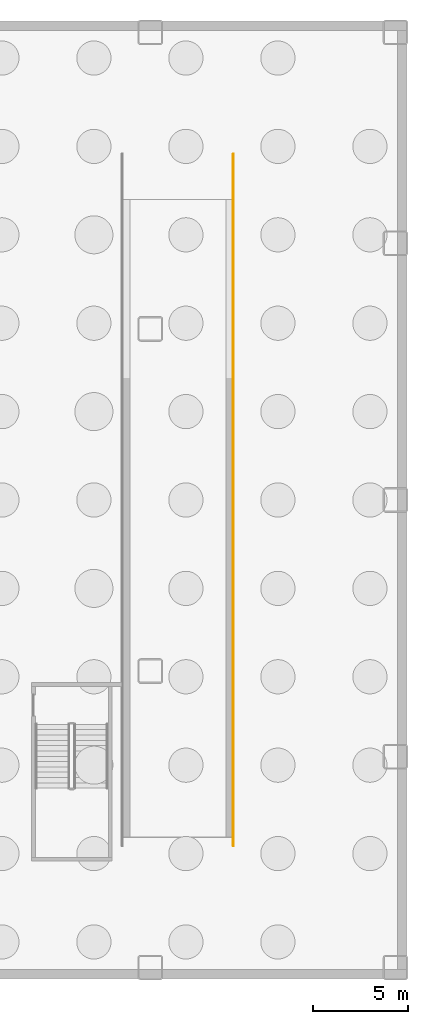
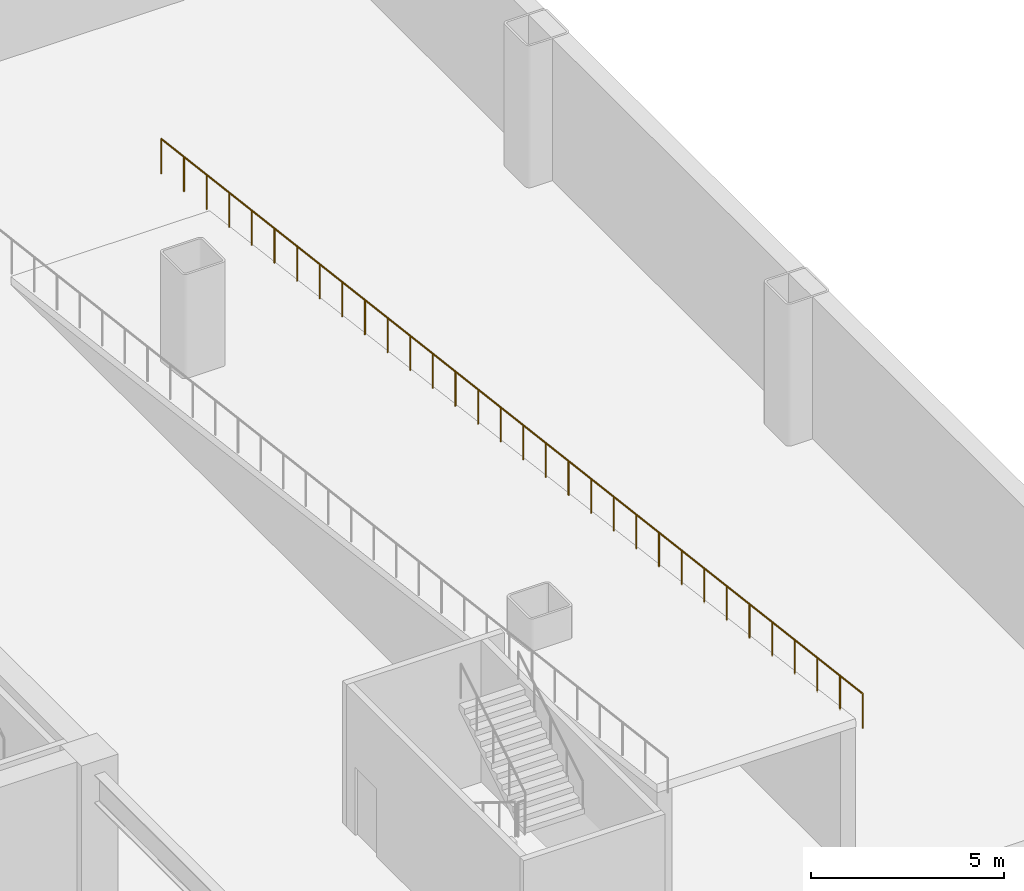
# One storey, part 10 of 11: 1 railing.
"""IFC4 building model written with IfcOpenShell, lengths in metres."""

from ifc_helpers import new_model, si_unit, direction, frame, origin, origin_2d, place, context, subcontext, project, spatial, circle, extrude, material, type_object, element, save


model = new_model("IFC4")

# Units and contexts
model_context = context("Model", 3, precision=1e-05, world=origin(), true_north=direction((0.0, 1.0)))
body_context = subcontext(model_context, "Body", "Model", "MODEL_VIEW")
ifc_project = project(units=[si_unit("LENGTHUNIT", "METRE"), si_unit("AREAUNIT", "SQUARE_METRE"), si_unit("VOLUMEUNIT", "CUBIC_METRE"), si_unit("PLANEANGLEUNIT", "RADIAN"), si_unit("MASSUNIT", "GRAM", prefix="KILO")], contexts=[model_context])

# Site, building, storey
site_placement = place(None, origin())
site = spatial("IfcSite", under=ifc_project, at=site_placement, CompositionType="ELEMENT")
building_placement = place(site_placement, origin())
building = spatial("IfcBuilding", under=site, at=building_placement, Name="Nefas-Gora Pilgrimage Tower", CompositionType="ELEMENT")
storey_placement = place(building_placement, frame((0.0, 0.0, -9.0)))
storey = spatial("IfcBuildingStorey", under=building, at=storey_placement, Name="B02", CompositionType="ELEMENT", Elevation=-9.0)

# Railing
ifc_material = material(Name="Painted galvanised steel", Category="steel")
railing_type = type_object("IfcRailingType", Name="RLG-RMP-1100", PredefinedType="GUARDRAIL", material=ifc_material)
railing_placement = place(storey_placement, frame((29.1201171875, 18.199951171875, 0.0)))
element("IfcRailing", 1, at=railing_placement, inside=storey, type_object=railing_type, Name="B02-B01 Sloped Vehicle Ramp Guardrail E", PredefinedType="GUARDRAIL", context=body_context, shape_type="SweptSolid", body=[
    extrude(circle(Radius=0.02392578125, at=origin_2d()), frame((0.0, 0.0, 1.09619140625), z_axis=(0.0, -0.992444713175, 0.122692670082), x_axis=(1.0, 0.0, 0.0)), (0.0, 0.0, 1.0), 36.677001953125),
    extrude(circle(Radius=0.02099609375, at=origin_2d()), origin(), (0.0, 0.0, 1.0), 1.072021484375),
    extrude(circle(Radius=0.02099609375, at=origin_2d()), frame((0.0, -1.174072265625, 0.145263671875)), (0.0, 0.0, 1.0), 1.072021484375),
    extrude(circle(Radius=0.02099609375, at=origin_2d()), frame((0.0, -2.348388671875, 0.290283203125)), (0.0, 0.0, 1.0), 1.072021484375),
    extrude(circle(Radius=0.02099609375, at=origin_2d()), frame((0.0, -3.5224609375, 0.435546875)), (0.0, 0.0, 1.0), 1.072021484375),
    extrude(circle(Radius=0.02099609375, at=origin_2d()), frame((0.0, -4.69677734375, 0.58056640625)), (0.0, 0.0, 1.0), 1.072021484375),
    extrude(circle(Radius=0.02099609375, at=origin_2d()), frame((0.0, -5.870849609375, 0.725830078125)), (0.0, 0.0, 1.0), 1.072021484375),
    extrude(circle(Radius=0.02099609375, at=origin_2d()), frame((0.0, -7.045166015625, 0.870849609375)), (0.0, 0.0, 1.0), 1.072021484375),
    extrude(circle(Radius=0.02099609375, at=origin_2d()), frame((0.0, -8.21923828125, 1.01611328125)), (0.0, 0.0, 1.0), 1.072021484375),
    extrude(circle(Radius=0.02099609375, at=origin_2d()), frame((0.0, -9.3935546875, 1.161376953125)), (0.0, 0.0, 1.0), 1.072021484375),
    extrude(circle(Radius=0.02099609375, at=origin_2d()), frame((0.0, -10.567626953125, 1.306396484375)), (0.0, 0.0, 1.0), 1.072021484375),
    extrude(circle(Radius=0.02099609375, at=origin_2d()), frame((0.0, -11.741943359375, 1.45166015625)), (0.0, 0.0, 1.0), 1.072021484375),
    extrude(circle(Radius=0.02099609375, at=origin_2d()), frame((0.0, -12.916015625, 1.5966796875)), (0.0, 0.0, 1.0), 1.072021484375),
    extrude(circle(Radius=0.02099609375, at=origin_2d()), frame((0.0, -14.09033203125, 1.741943359375)), (0.0, 0.0, 1.0), 1.072021484375),
    extrude(circle(Radius=0.02099609375, at=origin_2d()), frame((0.0, -15.264404296875, 1.88720703125)), (0.0, 0.0, 1.0), 1.072021484375),
    extrude(circle(Radius=0.02099609375, at=origin_2d()), frame((0.0, -16.438720703125, 2.0322265625)), (0.0, 0.0, 1.0), 1.072021484375),
    extrude(circle(Radius=0.02099609375, at=origin_2d()), frame((0.0, -17.61279296875, 2.177490234375)), (0.0, 0.0, 1.0), 1.072021484375),
    extrude(circle(Radius=0.02099609375, at=origin_2d()), frame((0.0, -18.787109375, 2.322509765625)), (0.0, 0.0, 1.0), 1.072021484375),
    extrude(circle(Radius=0.02099609375, at=origin_2d()), frame((0.0, -19.961181640625, 2.4677734375)), (0.0, 0.0, 1.0), 1.072021484375),
    extrude(circle(Radius=0.02099609375, at=origin_2d()), frame((0.0, -21.135498046875, 2.61279296875)), (0.0, 0.0, 1.0), 1.072021484375),
    extrude(circle(Radius=0.02099609375, at=origin_2d()), frame((0.0, -22.3095703125, 2.758056640625)), (0.0, 0.0, 1.0), 1.072021484375),
    extrude(circle(Radius=0.02099609375, at=origin_2d()), frame((0.0, -23.48388671875, 2.9033203125)), (0.0, 0.0, 1.0), 1.072021484375),
    extrude(circle(Radius=0.02099609375, at=origin_2d()), frame((0.0, -24.657958984375, 3.04833984375)), (0.0, 0.0, 1.0), 1.072021484375),
    extrude(circle(Radius=0.02099609375, at=origin_2d()), frame((0.0, -25.832275390625, 3.193603515625)), (0.0, 0.0, 1.0), 1.072021484375),
    extrude(circle(Radius=0.02099609375, at=origin_2d()), frame((0.0, -27.00634765625, 3.338623046875)), (0.0, 0.0, 1.0), 1.072021484375),
    extrude(circle(Radius=0.02099609375, at=origin_2d()), frame((0.0, -28.1806640625, 3.48388671875)), (0.0, 0.0, 1.0), 1.072021484375),
    extrude(circle(Radius=0.02099609375, at=origin_2d()), frame((0.0, -29.354736328125, 3.629150390625)), (0.0, 0.0, 1.0), 1.072021484375),
    extrude(circle(Radius=0.02099609375, at=origin_2d()), frame((0.0, -30.529052734375, 3.774169921875)), (0.0, 0.0, 1.0), 1.072021484375),
    extrude(circle(Radius=0.02099609375, at=origin_2d()), frame((0.0, -31.703125, 3.91943359375)), (0.0, 0.0, 1.0), 1.072021484375),
    extrude(circle(Radius=0.02099609375, at=origin_2d()), frame((0.0, -32.87744140625, 4.064453125)), (0.0, 0.0, 1.0), 1.072021484375),
    extrude(circle(Radius=0.02099609375, at=origin_2d()), frame((0.0, -34.051513671875, 4.209716796875)), (0.0, 0.0, 1.0), 1.072021484375),
    extrude(circle(Radius=0.02099609375, at=origin_2d()), frame((0.0, -35.225830078125, 4.354736328125)), (0.0, 0.0, 1.0), 1.072021484375),
    extrude(circle(Radius=0.02099609375, at=origin_2d()), frame((0.0, -36.39990234375, 4.5)), (0.0, 0.0, 1.0), 1.072021484375),
])

save(model, "model.ifc")
